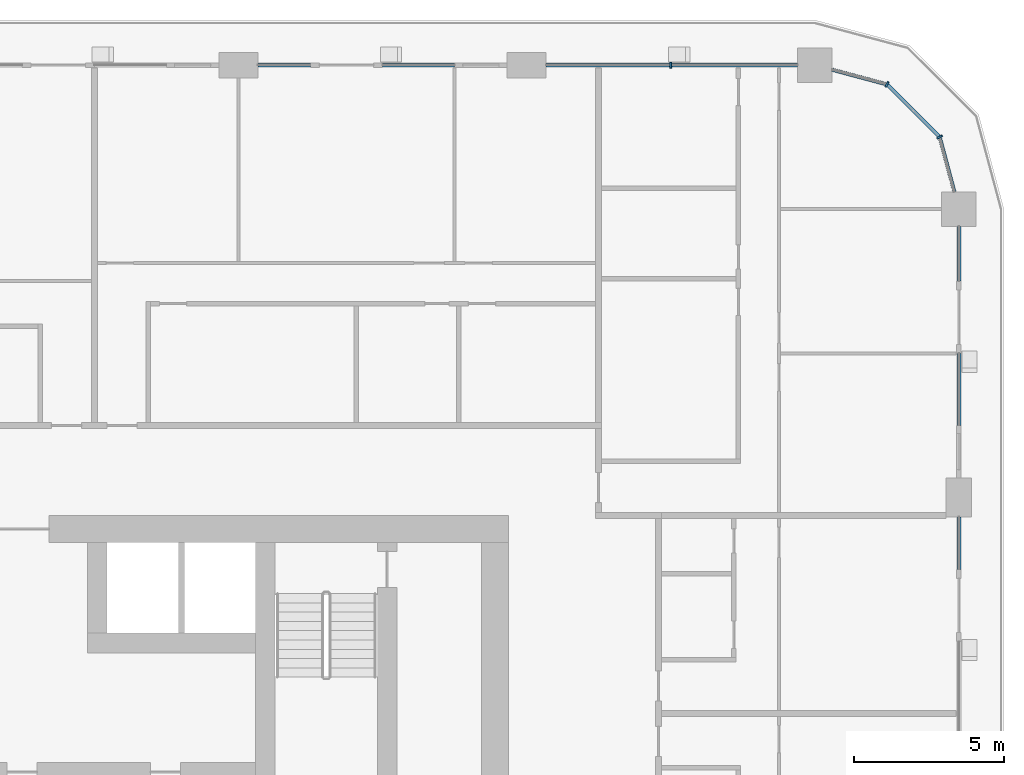
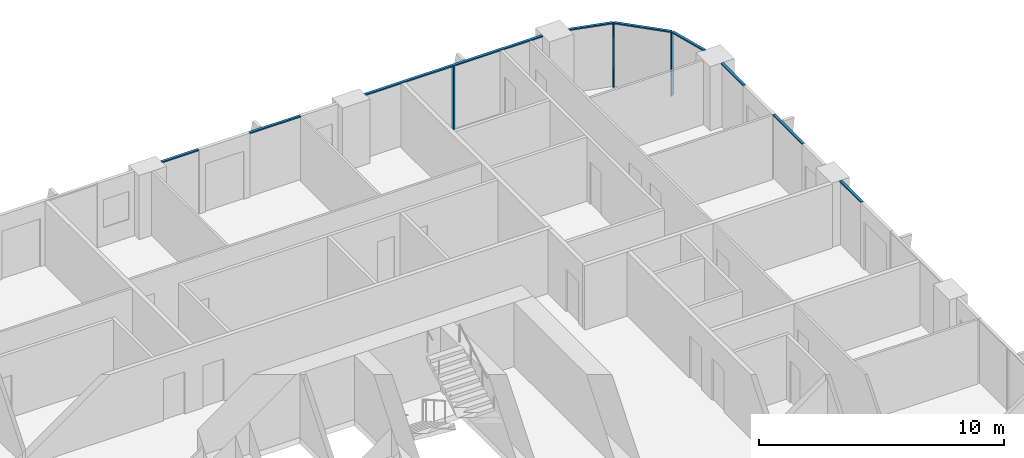
# One storey, part 6 of 22: 12 members, 5 elements without a shape of their own.
"""IFC4 building model written with IfcOpenShell, lengths in metres."""

from ifc_helpers import new_model, si_unit, direction, frame, origin, origin_2d, place, context, subcontext, project, spatial, rectangle, extrude, material, layer, layer_set, material_profile, profile_set, type_object, element, aggregate, save


model = new_model("IFC4")

# Units and contexts
model_context = context("Model", 3, precision=1e-05, world=origin(), true_north=direction((0.0, 1.0)))
body_context = subcontext(model_context, "Body", "Model", "MODEL_VIEW")
ifc_project = project(units=[si_unit("LENGTHUNIT", "METRE"), si_unit("AREAUNIT", "SQUARE_METRE"), si_unit("VOLUMEUNIT", "CUBIC_METRE"), si_unit("PLANEANGLEUNIT", "RADIAN"), si_unit("MASSUNIT", "GRAM", prefix="KILO")], contexts=[model_context])

# Site, building, storey
site_placement = place(None, origin())
site = spatial("IfcSite", under=ifc_project, at=site_placement, CompositionType="ELEMENT")
building_placement = place(site_placement, origin())
building = spatial("IfcBuilding", under=site, at=building_placement, Name="Madar Terraces", CompositionType="ELEMENT")
storey_placement = place(building_placement, frame((0.0, 0.0, 99.699951171875)))
storey = spatial("IfcBuildingStorey", under=building, at=storey_placement, Name="L25", CompositionType="ELEMENT", Elevation=99.699951171875)

# Curtain wall, member
ifc_material_1 = material(Name="Glass, ceramic frit dark grey, with black aluminium frame", Category="aluminium")
ifc_layer = layer(ifc_material_1, 0.199951171875)
ifc_layer_set = layer_set([ifc_layer], Name="Facade curtain wall, fritted glass")
curtain_wall_type = type_object("IfcCurtainWallType", Name="Facade curtain wall, fritted glass", PredefinedType="NOTDEFINED", material=ifc_layer_set)
curtain_wall_1_placement = place(storey_placement, origin())
curtain_wall_1 = element("IfcCurtainWall", 1, at=curtain_wall_1_placement, inside=storey, type_object=curtain_wall_type, Name="Outer skin curtain wall north bay 1", PredefinedType="NOTDEFINED")
ifc_material_2 = material(Name="Aluminium, black anodised", Category="aluminium")
ifc_material_profile_1 = material_profile(ifc_material_2, rectangle(XDim=0.199951171875, YDim=0.06005859375, at=origin_2d()), Name="Facade mullion 60x200")
ifc_profile_set_1 = profile_set([ifc_material_profile_1], Name="Aluminium, black anodised")
member_type_1 = type_object("IfcMemberType", Name="Facade mullion 60x200", PredefinedType="MULLION", material=ifc_profile_set_1)
member_1_placement = place(storey_placement, frame((52.800048828125, 52.800048828125, 0.0), z_axis=(0.0, 0.0, 1.0), x_axis=(0.0, -1.0, 0.0)))
member_1 = element("IfcMember", 2, at=member_1_placement, type_object=member_type_1, Name="Mullion 1", PredefinedType="MULLION", context=body_context, shape_type="SweptSolid", body=[
    extrude(rectangle(XDim=0.199951171875, YDim=0.06005859375, at=origin_2d()), origin(), (0.0, 0.0, 1.0), 3.14013671875),
])

# Curtain wall, members
curtain_wall_2_placement = place(storey_placement, origin())
curtain_wall_2 = element("IfcCurtainWall", 3, at=curtain_wall_2_placement, inside=storey, type_object=curtain_wall_type, Name="Outer skin curtain wall north-east corner", PredefinedType="NOTDEFINED")
member_2_placement = place(storey_placement, frame((61.7568359375, 50.39990234375, 0.0), z_axis=(0.0, 0.0, 1.0), x_axis=(-0.866025409797, -0.499999989586, 0.0)))
member_2 = element("IfcMember", 4, at=member_2_placement, type_object=member_type_1, Name="Mullion 1", PredefinedType="MULLION", context=body_context, shape_type="SweptSolid", body=[
    extrude(rectangle(XDim=0.199951171875, YDim=0.06005859375, at=origin_2d()), origin(), (0.0, 0.0, 1.0), 3.14013671875),
])
member_3_placement = place(storey_placement, frame((60.0, 52.156982421875, 0.0), z_axis=(0.0, 0.0, 1.0), x_axis=(-0.499999989586, -0.866025409797, 0.0)))
member_3 = element("IfcMember", 5, at=member_3_placement, type_object=member_type_1, Name="Mullion 2", PredefinedType="MULLION", context=body_context, shape_type="SweptSolid", body=[
    extrude(rectangle(XDim=0.199951171875, YDim=0.06005859375, at=origin_2d()), origin(), (0.0, 0.0, 1.0), 3.14013671875),
])

# Curtain wall, member
curtain_wall_3_placement = place(storey_placement, origin())
curtain_wall_3 = element("IfcCurtainWall", 6, at=curtain_wall_3_placement, inside=storey, type_object=curtain_wall_type, Name="Outer skin curtain wall east bay 3", PredefinedType="NOTDEFINED")
ifc_material_3 = material(Name="Aluminium, black anodised", Category="aluminium")
ifc_material_profile_2 = material_profile(ifc_material_3, rectangle(XDim=0.1201171875, YDim=0.06005859375, at=origin_2d()), Name="Facade transom 60x120")
ifc_profile_set_2 = profile_set([ifc_material_profile_2], Name="Aluminium, black anodised")
member_type_2 = type_object("IfcMemberType", Name="Facade transom 60x120", PredefinedType="USERDEFINED", material=ifc_profile_set_2)
member_4_placement = place(storey_placement, frame((62.39990234375, 36.0, 3.170166015625), z_axis=(0.0, 1.0, 0.0), x_axis=(-1.0, 0.0, 0.0)))
member_4 = element("IfcMember", 7, at=member_4_placement, type_object=member_type_2, Name="Transom 2", ObjectType="TRANSOM", PredefinedType="USERDEFINED", context=body_context, shape_type="SweptSolid", body=[
    extrude(rectangle(XDim=0.1201171875, YDim=0.06005859375, at=origin_2d()), origin(), (0.0, 0.0, 1.0), 1.75),
])
aggregate(curtain_wall_3, [member_4])

# Curtain wall, members
curtain_wall_4_placement = place(storey_placement, origin())
curtain_wall_4 = element("IfcCurtainWall", 8, at=curtain_wall_4_placement, inside=storey, type_object=curtain_wall_type, Name="Outer skin curtain wall east bay 4", PredefinedType="NOTDEFINED")
member_5_placement = place(storey_placement, frame((62.39990234375, 40.800048828125, 3.170166015625), z_axis=(0.0, 1.0, 0.0), x_axis=(-1.0, 0.0, 0.0)))
member_5 = element("IfcMember", 9, at=member_5_placement, type_object=member_type_2, Name="Transom 1", ObjectType="TRANSOM", PredefinedType="USERDEFINED", context=body_context, shape_type="SweptSolid", body=[
    extrude(rectangle(XDim=0.1201171875, YDim=0.06005859375, at=origin_2d()), origin(), (0.0, 0.0, 1.0), 2.39990234375),
])
member_6_placement = place(storey_placement, frame((62.39990234375, 45.60009765625, 3.170166015625), z_axis=(0.0, 1.0, 0.0), x_axis=(-1.0, 0.0, 0.0)))
member_6 = element("IfcMember", 10, at=member_6_placement, type_object=member_type_2, Name="Transom 2", ObjectType="TRANSOM", PredefinedType="USERDEFINED", context=body_context, shape_type="SweptSolid", body=[
    extrude(rectangle(XDim=0.1201171875, YDim=0.06005859375, at=origin_2d()), origin(), (0.0, 0.0, 1.0), 1.824951171875),
])
aggregate(curtain_wall_4, [member_5, member_6])

# Member
member_7_placement = place(storey_placement, frame((57.02490234375, 52.800048828125, 3.170166015625), z_axis=(-1.0, 0.0, 0.0), x_axis=(0.0, -1.0, 0.0)))
member_7 = element("IfcMember", 11, at=member_7_placement, type_object=member_type_2, Name="Transom 1", ObjectType="TRANSOM", PredefinedType="USERDEFINED", context=body_context, shape_type="SweptSolid", body=[
    extrude(rectangle(XDim=0.1201171875, YDim=0.06005859375, at=origin_2d()), origin(), (0.0, 0.0, 1.0), 8.375),
])

aggregate(curtain_wall_1, [member_1, member_7])

# Curtain wall, members
curtain_wall_5_placement = place(storey_placement, origin())
curtain_wall_5 = element("IfcCurtainWall", 12, at=curtain_wall_5_placement, inside=storey, type_object=curtain_wall_type, Name="Outer skin curtain wall north bay 2", PredefinedType="NOTDEFINED")
member_8_placement = place(storey_placement, frame((45.60009765625, 52.800048828125, 3.170166015625), z_axis=(-1.0, 0.0, 0.0), x_axis=(0.0, -1.0, 0.0)))
member_8 = element("IfcMember", 13, at=member_8_placement, type_object=member_type_2, Name="Transom 1", ObjectType="TRANSOM", PredefinedType="USERDEFINED", context=body_context, shape_type="SweptSolid", body=[
    extrude(rectangle(XDim=0.1201171875, YDim=0.06005859375, at=origin_2d()), origin(), (0.0, 0.0, 1.0), 2.400146484375),
])
member_9_placement = place(storey_placement, frame((40.800048828125, 52.800048828125, 3.170166015625), z_axis=(-1.0, 0.0, 0.0), x_axis=(0.0, -1.0, 0.0)))
member_9 = element("IfcMember", 14, at=member_9_placement, type_object=member_type_2, Name="Transom 2", ObjectType="TRANSOM", PredefinedType="USERDEFINED", context=body_context, shape_type="SweptSolid", body=[
    extrude(rectangle(XDim=0.1201171875, YDim=0.06005859375, at=origin_2d()), origin(), (0.0, 0.0, 1.0), 1.75),
])
aggregate(curtain_wall_5, [member_8, member_9])

# Member
member_10_placement = place(storey_placement, frame((62.245849609375, 48.574951171875, 3.170166015625), z_axis=(-0.258782024434, 0.965935745187, 0.0), x_axis=(-0.965935745187, -0.258782024434, 0.0)))
member_10 = element("IfcMember", 15, at=member_10_placement, type_object=member_type_2, Name="Transom 1", ObjectType="TRANSOM", PredefinedType="USERDEFINED", context=body_context, shape_type="SweptSolid", body=[
    extrude(rectangle(XDim=0.1201171875, YDim=0.06005859375, at=origin_2d()), origin(), (0.0, 0.0, 1.0), 1.859375),
])

member_11_placement = place(storey_placement, frame((61.735595703125, 50.421142578125, 3.170166015625), z_axis=(-0.707056433593, 0.707157125196, 0.0), x_axis=(-0.707157125196, -0.707056433593, 0.0)))
member_11 = element("IfcMember", 16, at=member_11_placement, type_object=member_type_2, Name="Transom 2", ObjectType="TRANSOM", PredefinedType="USERDEFINED", context=body_context, shape_type="SweptSolid", body=[
    extrude(rectangle(XDim=0.1201171875, YDim=0.06005859375, at=origin_2d()), origin(), (0.0, 0.0, 1.0), 2.424560546875),
])

member_12_placement = place(storey_placement, frame((59.970947265625, 52.164794921875, 3.170166015625), z_axis=(-0.965926950947, 0.258814847786, 0.0), x_axis=(-0.258814847786, -0.965926950947, 0.0)))
member_12 = element("IfcMember", 17, at=member_12_placement, type_object=member_type_2, Name="Transom 3", ObjectType="TRANSOM", PredefinedType="USERDEFINED", context=body_context, shape_type="SweptSolid", body=[
    extrude(rectangle(XDim=0.1201171875, YDim=0.06005859375, at=origin_2d()), origin(), (0.0, 0.0, 1.0), 1.859130859375),
])

aggregate(curtain_wall_2, [member_2, member_10, member_3, member_11, member_12])

save(model, "model.ifc")
